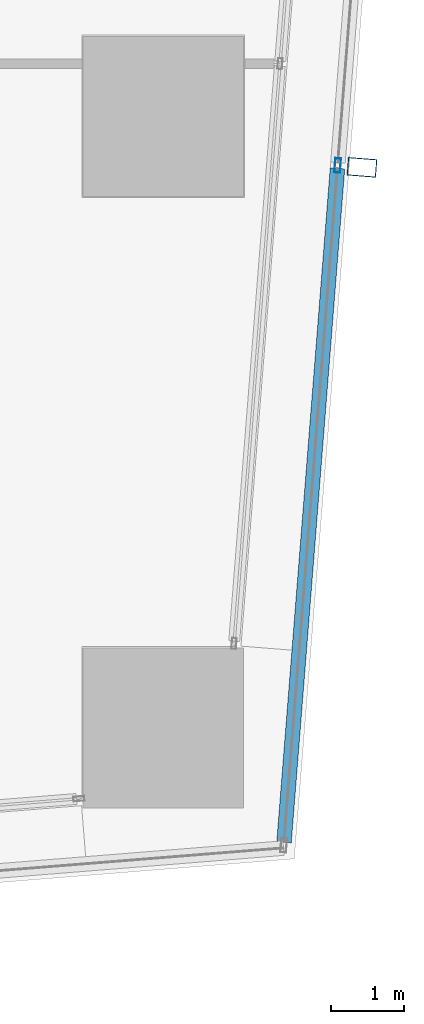
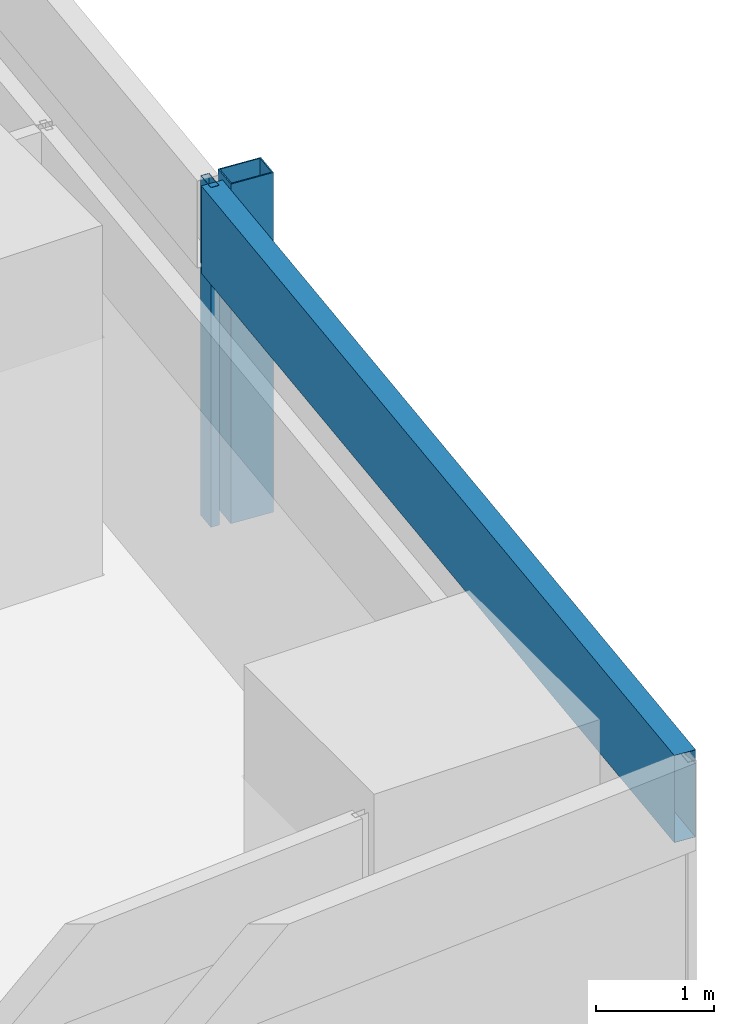
# One storey, part 25 of 44: 3 members, 1 element without a shape of its own.
"""IFC4 building model written with IfcOpenShell, lengths in metres."""

from ifc_helpers import new_model, si_unit, direction, frame, origin, origin_2d, place, context, subcontext, project, spatial, hollow_rectangle, extrude, material, material_profile, profile_set, type_object, element, aggregate, save


model = new_model("IFC4")

# Units and contexts
model_context = context("Model", 3, precision=1e-05, world=origin(), true_north=direction((0.0, 1.0)))
body_context = subcontext(model_context, "Body", "Model", "MODEL_VIEW")
ifc_project = project(units=[si_unit("LENGTHUNIT", "METRE"), si_unit("AREAUNIT", "SQUARE_METRE"), si_unit("VOLUMEUNIT", "CUBIC_METRE"), si_unit("PLANEANGLEUNIT", "RADIAN"), si_unit("MASSUNIT", "GRAM", prefix="KILO")], contexts=[model_context])

# Site, building, storey
site_placement = place(None, origin())
site = spatial("IfcSite", under=ifc_project, at=site_placement, CompositionType="ELEMENT")
building_placement = place(site_placement, origin())
building = spatial("IfcBuilding", under=site, at=building_placement, Name="Rekha Terrace Tower", CompositionType="ELEMENT")
storey_placement = place(building_placement, frame((0.0, 0.0, 66.64990234375)))
storey = spatial("IfcBuildingStorey", under=building, at=storey_placement, Name="L16", CompositionType="ELEMENT", Elevation=66.64990234375)

# Curtain wall, members
ifc_material_1 = material(Name="Aluminium framing", Category="aluminium")
curtain_wall_type = type_object("IfcCurtainWallType", Name="CW2 double skin outer glazing", PredefinedType="USERDEFINED", material=ifc_material_1)
curtain_wall_placement = place(storey_placement, origin())
curtain_wall = element("IfcCurtainWall", 1, at=curtain_wall_placement, inside=storey, type_object=curtain_wall_type, Name="CW2 double skin outer glazing", ObjectType="DOUBLE SKIN OUTER GLAZING", PredefinedType="USERDEFINED")
ifc_material_2 = material(Name="Steel S355 with fluorocarbon finish", Category="steel")
ifc_material_profile_1 = material_profile(ifc_material_2, hollow_rectangle(XDim=0.25, YDim=0.39990234375, WallThickness=0.012451171875, at=origin_2d()), Name="RHS400x250x12.5")
ifc_profile_set_1 = profile_set([ifc_material_profile_1], Name="Steel S355 with fluorocarbon finish")
member_type_1 = type_object("IfcMemberType", Name="BL1 facade blade RHS 400 x 250", PredefinedType="USERDEFINED", material=ifc_profile_set_1)
member_1_placement = place(storey_placement, frame((69.929443359375, 16.099365234375, 0.0), z_axis=(0.0, 0.0, 1.0), x_axis=(0.079116779322, 0.996865354614, 0.0)))
member_1 = element("IfcMember", 2, at=member_1_placement, type_object=member_type_1, Name="Facade blade", ObjectType="FACADE BLADE", PredefinedType="USERDEFINED", context=body_context, shape_type="SweptSolid", body=[
    extrude(hollow_rectangle(XDim=0.25, YDim=0.39990234375, WallThickness=0.012451171875, at=origin_2d()), origin(), (0.0, 0.0, 1.0), 3.5),
])
ifc_material_3 = material(Name="Aluminium mullion section", Category="aluminium")
ifc_material_profile_2 = material_profile(ifc_material_3, hollow_rectangle(XDim=0.080078125, YDim=0.199951171875, WallThickness=0.00390625, at=origin_2d()), Name="AL RHS 80x200")
ifc_profile_set_2 = profile_set([ifc_material_profile_2], Name="Aluminium mullion section")
member_type_2 = type_object("IfcMemberType", Name="CW2 mullion RHS 80 x 200", PredefinedType="MULLION", material=ifc_profile_set_2)
member_2_placement = place(storey_placement, frame((69.595458984375, 16.125732421875, 0.0), z_axis=(0.0, 0.0, 1.0), x_axis=(-0.996865392575, 0.079116301017, 0.0)))
member_2 = element("IfcMember", 3, at=member_2_placement, type_object=member_type_2, Name="CW2 mullion 2", PredefinedType="MULLION", context=body_context, shape_type="SweptSolid", body=[
    extrude(hollow_rectangle(XDim=0.080078125, YDim=0.199951171875, WallThickness=0.00390625, at=origin_2d()), origin(), (0.0, 0.0, 1.0), 3.5),
])
ifc_material_4 = material(Name="Insulated aluminium spandrel box", Category="aluminium")
ifc_material_profile_3 = material_profile(ifc_material_4, hollow_rectangle(XDim=0.199951171875, YDim=0.89990234375, WallThickness=0.0029296875, at=origin_2d()), Name="AL SPANDREL BOX 200x900")
ifc_profile_set_3 = profile_set([ifc_material_profile_3], Name="Insulated aluminium spandrel box")
member_type_3 = type_object("IfcMemberType", Name="CW2 spandrel transom 200 x 900", PredefinedType="USERDEFINED", material=ifc_profile_set_3)
member_3_placement = place(storey_placement, frame((68.857666015625, 6.828369140625, 3.050048828125), z_axis=(0.079104689968, 0.996866314019, 0.0), x_axis=(-0.996866314019, 0.079104689968, 0.0)))
member_3 = element("IfcMember", 4, at=member_3_placement, type_object=member_type_3, Name="CW2 spandrel transom 1", ObjectType="TRANSOM", PredefinedType="USERDEFINED", context=body_context, shape_type="SweptSolid", body=[
    extrude(hollow_rectangle(XDim=0.199951171875, YDim=0.89990234375, WallThickness=0.0029296875, at=origin_2d()), origin(), (0.0, 0.0, 1.0), 9.28662109375),
])
aggregate(curtain_wall, [member_2, member_3, member_1])

save(model, "model.ifc")
